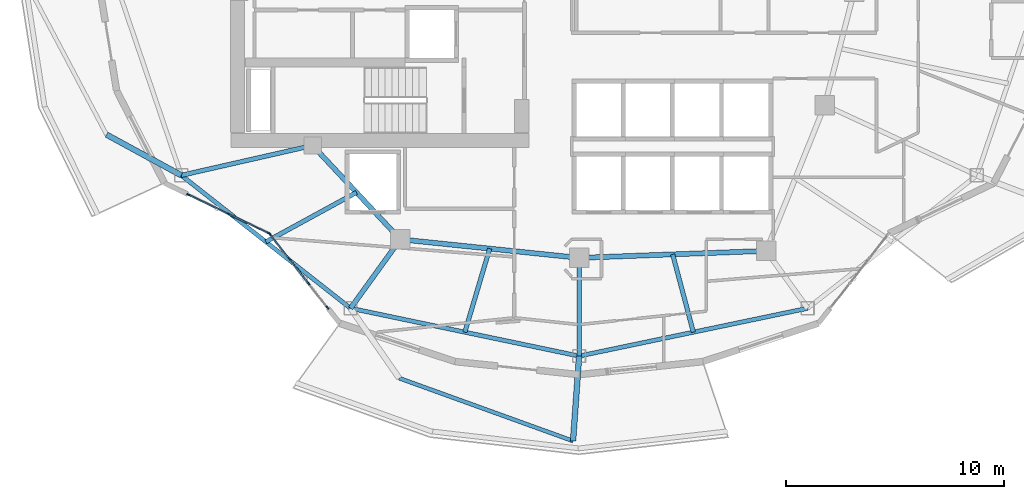
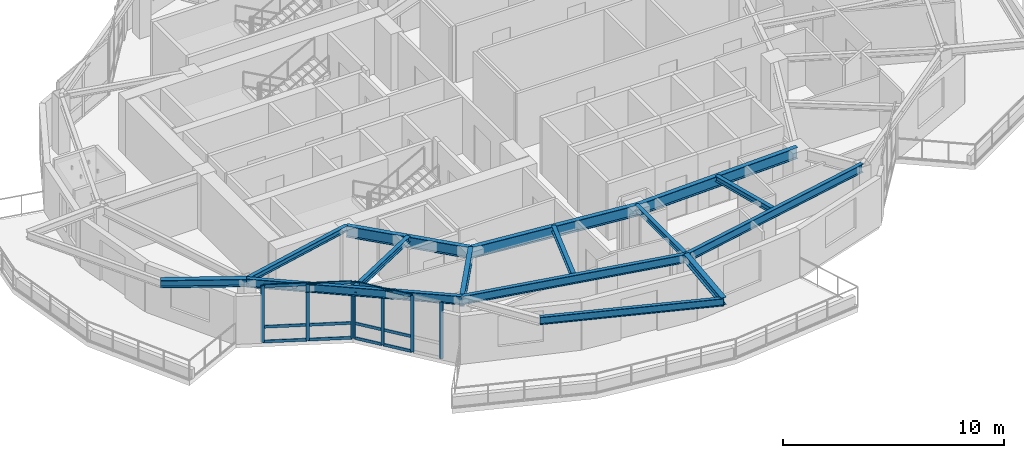
# One storey, part 2 of 19: 19 members, 15 beams, 2 elements without a shape of their own.
"""IFC4 building model written with IfcOpenShell, lengths in metres."""

from ifc_helpers import new_model, si_unit, direction, frame, origin, origin_2d, place, context, subcontext, project, spatial, rectangle, i_section, extrude, material, layer, layer_set, material_profile, profile_set, type_object, element, aggregate, save


model = new_model("IFC4")

# Units and contexts
model_context = context("Model", 3, precision=1e-05, world=origin(), true_north=direction((0.0, 1.0)))
body_context = subcontext(model_context, "Body", "Model", "MODEL_VIEW")
ifc_project = project(units=[si_unit("LENGTHUNIT", "METRE"), si_unit("AREAUNIT", "SQUARE_METRE"), si_unit("VOLUMEUNIT", "CUBIC_METRE"), si_unit("PLANEANGLEUNIT", "RADIAN"), si_unit("MASSUNIT", "GRAM", prefix="KILO")], contexts=[model_context])

# Site, building, storey
site_placement = place(None, origin())
site = spatial("IfcSite", under=ifc_project, at=site_placement, CompositionType="ELEMENT")
building_placement = place(site_placement, origin())
building = spatial("IfcBuilding", under=site, at=building_placement, Name="Kolvaren Gate Tower and Convention Centre", CompositionType="ELEMENT")
storey_placement = place(building_placement, frame((0.0, 0.0, 163.10009765625)))
storey = spatial("IfcBuildingStorey", under=building, at=storey_placement, Name="L42", CompositionType="ELEMENT", Elevation=163.10009765625)

# Curtain wall, members
ifc_material_1 = material(Name="Anodized Architectural Aluminium Alloy 6063-T6", Category="aluminium")
ifc_layer = layer(ifc_material_1, 0.159912109375)
ifc_layer_set = layer_set([ifc_layer], Name="Anodized Architectural Aluminium Alloy 6063-T6")
curtain_wall_type = type_object("IfcCurtainWallType", Name="CW-HTL-UNIT", PredefinedType="NOTDEFINED", material=ifc_layer_set)
curtain_wall_1_placement = place(storey_placement, origin())
curtain_wall_1 = element("IfcCurtainWall", 1, at=curtain_wall_1_placement, inside=storey, type_object=curtain_wall_type, Name="Tower L42 Unitised Curtain Wall CW-HTL-UNIT Bay 14", PredefinedType="NOTDEFINED")
ifc_material_profile_1 = material_profile(ifc_material_1, rectangle(XDim=0.06494140625, YDim=0.159912109375, at=origin_2d()), Name="CW-MEM-MUL-160")
ifc_profile_set_1 = profile_set([ifc_material_profile_1], Name="Anodized Architectural Aluminium Alloy 6063-T6")
member_type_1 = type_object("IfcMemberType", Name="CW-MEM-MUL-160", PredefinedType="MULLION", material=ifc_profile_set_1)
member_1_placement = place(storey_placement, frame((12.220458984375, 17.699462890625, 0.0), z_axis=(0.0, 0.0, 1.0), x_axis=(0.433065112035, 0.901362639973, 0.0)))
member_1 = element("IfcMember", 2, at=member_1_placement, type_object=member_type_1, Name="CW-03 mullion 1", PredefinedType="MULLION", context=body_context, shape_type="SweptSolid", body=[
    extrude(rectangle(XDim=0.06494140625, YDim=0.159912109375, at=origin_2d()), origin(), (0.0, 0.0, 1.0), 3.1298828125),
])
member_2_placement = place(storey_placement, frame((14.063720703125, 16.813720703125, 0.0), z_axis=(0.0, 0.0, 1.0), x_axis=(0.433065112035, 0.901362639973, 0.0)))
member_2 = element("IfcMember", 3, at=member_2_placement, type_object=member_type_1, Name="CW-03 mullion 2", PredefinedType="MULLION", context=body_context, shape_type="SweptSolid", body=[
    extrude(rectangle(XDim=0.06494140625, YDim=0.159912109375, at=origin_2d()), origin(), (0.0, 0.0, 1.0), 3.1298828125),
])
member_3_placement = place(storey_placement, frame((15.9072265625, 15.927978515625, 0.0), z_axis=(0.0, 0.0, 1.0), x_axis=(0.433065112035, 0.901362639973, 0.0)))
member_3 = element("IfcMember", 4, at=member_3_placement, type_object=member_type_1, Name="CW-03 mullion 3", PredefinedType="MULLION", context=body_context, shape_type="SweptSolid", body=[
    extrude(rectangle(XDim=0.06494140625, YDim=0.159912109375, at=origin_2d()), origin(), (0.0, 0.0, 1.0), 3.1298828125),
])

curtain_wall_2_placement = place(storey_placement, origin())
curtain_wall_2 = element("IfcCurtainWall", 5, at=curtain_wall_2_placement, inside=storey, type_object=curtain_wall_type, Name="Tower L42 Unitised Curtain Wall CW-HTL-UNIT Bay 15", PredefinedType="NOTDEFINED")
member_4_placement = place(storey_placement, frame((15.95654296875, 15.888427734375, 0.0), z_axis=(0.0, 0.0, 1.0), x_axis=(0.787414701294, 0.616423627213, 0.0)))
member_4 = element("IfcMember", 6, at=member_4_placement, type_object=member_type_1, Name="CW-03 mullion 1", PredefinedType="MULLION", context=body_context, shape_type="SweptSolid", body=[
    extrude(rectangle(XDim=0.06494140625, YDim=0.159912109375, at=origin_2d()), origin(), (0.0, 0.0, 1.0), 3.1298828125),
])
member_5_placement = place(storey_placement, frame((16.82958984375, 14.77294921875, 0.0), z_axis=(0.0, 0.0, 1.0), x_axis=(0.787414701294, 0.616423627213, 0.0)))
member_5 = element("IfcMember", 7, at=member_5_placement, type_object=member_type_1, Name="CW-03 mullion 2", PredefinedType="MULLION", context=body_context, shape_type="SweptSolid", body=[
    extrude(rectangle(XDim=0.06494140625, YDim=0.159912109375, at=origin_2d()), origin(), (0.0, 0.0, 1.0), 3.1298828125),
])
member_6_placement = place(storey_placement, frame((17.722900390625, 13.632080078125, 0.0), z_axis=(0.0, 0.0, 1.0), x_axis=(0.787414701294, 0.616423627213, 0.0)))
member_6 = element("IfcMember", 8, at=member_6_placement, type_object=member_type_1, Name="CW-03 mullion 3", PredefinedType="MULLION", context=body_context, shape_type="SweptSolid", body=[
    extrude(rectangle(XDim=0.06494140625, YDim=0.159912109375, at=origin_2d()), origin(), (0.0, 0.0, 1.0), 3.1298828125),
])
member_7_placement = place(storey_placement, frame((18.595947265625, 12.5166015625, 0.0), z_axis=(0.0, 0.0, 1.0), x_axis=(0.787414701294, 0.616423627213, 0.0)))
member_7 = element("IfcMember", 9, at=member_7_placement, type_object=member_type_1, Name="CW-03 mullion 4", PredefinedType="MULLION", context=body_context, shape_type="SweptSolid", body=[
    extrude(rectangle(XDim=0.06494140625, YDim=0.159912109375, at=origin_2d()), origin(), (0.0, 0.0, 1.0), 3.1298828125),
])

# Member
ifc_material_profile_2 = material_profile(ifc_material_1, rectangle(XDim=0.06494140625, YDim=0.159912109375, at=origin_2d()), Name="CW-MEM-TRN-160")
ifc_profile_set_2 = profile_set([ifc_material_profile_2], Name="Anodized Architectural Aluminium Alloy 6063-T6")
member_type_2 = type_object("IfcMemberType", Name="CW-MEM-TRN-160", PredefinedType="USERDEFINED", material=ifc_profile_set_2)
member_8_placement = place(storey_placement, frame((12.249755859375, 17.685302734375, 0.032470703125), z_axis=(0.901369067985, -0.433051732799, 0.0), x_axis=(0.433051732799, 0.901369067985, 0.0)))
member_8 = element("IfcMember", 10, at=member_8_placement, type_object=member_type_2, Name="CW-03 transom 1.1", ObjectType="TRANSOM", PredefinedType="USERDEFINED", context=body_context, shape_type="SweptSolid", body=[
    extrude(rectangle(XDim=0.06494140625, YDim=0.159912109375, at=origin_2d()), origin(), (0.0, 0.0, 1.0), 1.97998046875),
])

member_9_placement = place(storey_placement, frame((12.249755859375, 17.685302734375, 0.849853515625), z_axis=(0.901369067985, -0.433051732799, 0.0), x_axis=(0.433051732799, 0.901369067985, 0.0)))
member_9 = element("IfcMember", 11, at=member_9_placement, type_object=member_type_2, Name="CW-03 transom 1.2", ObjectType="TRANSOM", PredefinedType="USERDEFINED", context=body_context, shape_type="SweptSolid", body=[
    extrude(rectangle(XDim=0.06494140625, YDim=0.159912109375, at=origin_2d()), origin(), (0.0, 0.0, 1.0), 1.97998046875),
])

member_10_placement = place(storey_placement, frame((12.249755859375, 17.685302734375, 3.097412109375), z_axis=(0.901369067985, -0.433051732799, 0.0), x_axis=(0.433051732799, 0.901369067985, 0.0)))
member_10 = element("IfcMember", 12, at=member_10_placement, type_object=member_type_2, Name="CW-03 transom 1.3", ObjectType="TRANSOM", PredefinedType="USERDEFINED", context=body_context, shape_type="SweptSolid", body=[
    extrude(rectangle(XDim=0.06494140625, YDim=0.159912109375, at=origin_2d()), origin(), (0.0, 0.0, 1.0), 1.97998046875),
])

member_11_placement = place(storey_placement, frame((14.093017578125, 16.799560546875, 0.032470703125), z_axis=(0.90139218823, -0.433003606218, 0.0), x_axis=(0.433003606218, 0.90139218823, 0.0)))
member_11 = element("IfcMember", 13, at=member_11_placement, type_object=member_type_2, Name="CW-03 transom 2.1", ObjectType="TRANSOM", PredefinedType="USERDEFINED", context=body_context, shape_type="SweptSolid", body=[
    extrude(rectangle(XDim=0.06494140625, YDim=0.159912109375, at=origin_2d()), origin(), (0.0, 0.0, 1.0), 1.980224609375),
])

member_12_placement = place(storey_placement, frame((14.093017578125, 16.799560546875, 0.849853515625), z_axis=(0.90139218823, -0.433003606218, 0.0), x_axis=(0.433003606218, 0.90139218823, 0.0)))
member_12 = element("IfcMember", 14, at=member_12_placement, type_object=member_type_2, Name="CW-03 transom 2.2", ObjectType="TRANSOM", PredefinedType="USERDEFINED", context=body_context, shape_type="SweptSolid", body=[
    extrude(rectangle(XDim=0.06494140625, YDim=0.159912109375, at=origin_2d()), origin(), (0.0, 0.0, 1.0), 1.980224609375),
])

member_13_placement = place(storey_placement, frame((14.093017578125, 16.799560546875, 3.097412109375), z_axis=(0.90139218823, -0.433003606218, 0.0), x_axis=(0.433003606218, 0.90139218823, 0.0)))
member_13 = element("IfcMember", 15, at=member_13_placement, type_object=member_type_2, Name="CW-03 transom 2.3", ObjectType="TRANSOM", PredefinedType="USERDEFINED", context=body_context, shape_type="SweptSolid", body=[
    extrude(rectangle(XDim=0.06494140625, YDim=0.159912109375, at=origin_2d()), origin(), (0.0, 0.0, 1.0), 1.980224609375),
])

aggregate(curtain_wall_1, [member_1, member_2, member_3, member_8, member_9, member_10, member_11, member_12, member_13])

member_14_placement = place(storey_placement, frame((15.9765625, 15.86279296875, 0.032470703125), z_axis=(0.616376452985, -0.787451629121, 0.0), x_axis=(0.787451629121, 0.616376452985, 0.0)))
member_14 = element("IfcMember", 16, at=member_14_placement, type_object=member_type_2, Name="CW-03 transom 1.1", ObjectType="TRANSOM", PredefinedType="USERDEFINED", context=body_context, shape_type="SweptSolid", body=[
    extrude(rectangle(XDim=0.06494140625, YDim=0.159912109375, at=origin_2d()), origin(), (0.0, 0.0, 1.0), 1.3515625),
])

member_15_placement = place(storey_placement, frame((15.9765625, 15.86279296875, 0.849853515625), z_axis=(0.616376452985, -0.787451629121, 0.0), x_axis=(0.787451629121, 0.616376452985, 0.0)))
member_15 = element("IfcMember", 17, at=member_15_placement, type_object=member_type_2, Name="CW-03 transom 1.2", ObjectType="TRANSOM", PredefinedType="USERDEFINED", context=body_context, shape_type="SweptSolid", body=[
    extrude(rectangle(XDim=0.06494140625, YDim=0.159912109375, at=origin_2d()), origin(), (0.0, 0.0, 1.0), 1.3515625),
])

member_16_placement = place(storey_placement, frame((15.9765625, 15.86279296875, 3.097412109375), z_axis=(0.616376452985, -0.787451629121, 0.0), x_axis=(0.787451629121, 0.616376452985, 0.0)))
member_16 = element("IfcMember", 18, at=member_16_placement, type_object=member_type_2, Name="CW-03 transom 1.3", ObjectType="TRANSOM", PredefinedType="USERDEFINED", context=body_context, shape_type="SweptSolid", body=[
    extrude(rectangle(XDim=0.06494140625, YDim=0.159912109375, at=origin_2d()), origin(), (0.0, 0.0, 1.0), 1.3515625),
])

member_17_placement = place(storey_placement, frame((16.849853515625, 14.74755859375, 0.032470703125), z_axis=(0.616355825524, -0.787467774796, 0.0), x_axis=(0.787467774796, 0.616355825524, 0.0)))
member_17 = element("IfcMember", 19, at=member_17_placement, type_object=member_type_2, Name="CW-03 transom 2.1", ObjectType="TRANSOM", PredefinedType="USERDEFINED", context=body_context, shape_type="SweptSolid", body=[
    extrude(rectangle(XDim=0.06494140625, YDim=0.159912109375, at=origin_2d()), origin(), (0.0, 0.0, 1.0), 1.384033203125),
])

member_18_placement = place(storey_placement, frame((16.849853515625, 14.74755859375, 0.849853515625), z_axis=(0.616355825524, -0.787467774796, 0.0), x_axis=(0.787467774796, 0.616355825524, 0.0)))
member_18 = element("IfcMember", 20, at=member_18_placement, type_object=member_type_2, Name="CW-03 transom 2.2", ObjectType="TRANSOM", PredefinedType="USERDEFINED", context=body_context, shape_type="SweptSolid", body=[
    extrude(rectangle(XDim=0.06494140625, YDim=0.159912109375, at=origin_2d()), origin(), (0.0, 0.0, 1.0), 1.384033203125),
])

member_19_placement = place(storey_placement, frame((16.849853515625, 14.74755859375, 3.097412109375), z_axis=(0.616355825524, -0.787467774796, 0.0), x_axis=(0.787467774796, 0.616355825524, 0.0)))
member_19 = element("IfcMember", 21, at=member_19_placement, type_object=member_type_2, Name="CW-03 transom 2.3", ObjectType="TRANSOM", PredefinedType="USERDEFINED", context=body_context, shape_type="SweptSolid", body=[
    extrude(rectangle(XDim=0.06494140625, YDim=0.159912109375, at=origin_2d()), origin(), (0.0, 0.0, 1.0), 1.384033203125),
])

aggregate(curtain_wall_2, [member_4, member_5, member_6, member_7, member_14, member_15, member_16, member_17, member_18, member_19])

# Beams
ifc_material_2 = material(Name="Structural steel ASTM A992 Grade 345 MPa", Category="steel")
ifc_material_profile_3 = material_profile(ifc_material_2, i_section(OverallWidth=0.260009765625, OverallDepth=0.419921875, WebThickness=0.013427734375, FlangeThickness=0.0224609375, at=origin_2d()), Name="W410X132")
ifc_profile_set_3 = profile_set([ifc_material_profile_3], Name="Structural steel ASTM A992 Grade 345 MPa")
beam_type_1 = type_object("IfcBeamType", Name="STR-BM-W410X132", PredefinedType="BEAM", material=ifc_profile_set_3)
beam_1_placement = place(storey_placement, frame((11.898193359375, 18.581298828125, 2.92041015625), z_axis=(-0.878175335842, 0.47833887519, 0.0), x_axis=(-0.47833887519, -0.878175335842, 0.0)))
element("IfcBeam", 22, at=beam_1_placement, inside=storey, type_object=beam_type_1, Name="Tower L43 Planted Balcony Outrigger Cantilever BC-2B", PredefinedType="BEAM", context=body_context, shape_type="SweptSolid", body=[
    extrude(i_section(OverallWidth=0.260009765625, OverallDepth=0.419921875, WebThickness=0.013427734375, FlangeThickness=0.0224609375, at=origin_2d()), origin(), (0.0, 0.0, 1.0), 3.89990234375),
])
beam_2_placement = place(storey_placement, frame((30.125, 10.300048828125, 2.92041015625), z_axis=(-0.071238152604, -0.997459335318, 0.0), x_axis=(0.997459335318, -0.071238152604, 0.0)))
element("IfcBeam", 23, at=beam_2_placement, inside=storey, type_object=beam_type_1, Name="Tower L43 Planted Balcony Outrigger Cantilever BC-3B", PredefinedType="BEAM", context=body_context, shape_type="SweptSolid", body=[
    extrude(i_section(OverallWidth=0.260009765625, OverallDepth=0.419921875, WebThickness=0.013427734375, FlangeThickness=0.0224609375, at=origin_2d()), origin(), (0.0, 0.0, 1.0), 3.900146484375),
])
ifc_material_profile_4 = material_profile(ifc_material_2, i_section(OverallWidth=0.22998046875, OverallDepth=0.616943359375, WebThickness=0.01318359375, FlangeThickness=0.022216796875, at=origin_2d()), Name="W610X140")
ifc_profile_set_4 = profile_set([ifc_material_profile_4], Name="Structural steel ASTM A992 Grade 345 MPa")
beam_type_2 = type_object("IfcBeamType", Name="STR-BM-W610X140", PredefinedType="BEAM", material=ifc_profile_set_4)
beam_3_placement = place(storey_placement, frame((17.9140625, 19.949951171875, 2.8212890625), z_axis=(0.682557592987, -0.730831808459, 0.0), x_axis=(0.730831808459, 0.682557592987, 0.0)))
element("IfcBeam", 24, at=beam_3_placement, inside=storey, type_object=beam_type_2, Name="Tower L42 Primary Ring Girder G-06", PredefinedType="BEAM", context=body_context, shape_type="SweptSolid", body=[
    extrude(i_section(OverallWidth=0.22998046875, OverallDepth=0.616943359375, WebThickness=0.01318359375, FlangeThickness=0.022216796875, at=origin_2d()), origin(), (0.0, 0.0, 1.0), 5.88671875),
])
beam_4_placement = place(storey_placement, frame((21.93212890625, 15.647705078125, 2.8212890625), z_axis=(0.994690329115, -0.102913308978, 0.0), x_axis=(0.102913308978, 0.994690329115, 0.0)))
element("IfcBeam", 25, at=beam_4_placement, inside=storey, type_object=beam_type_2, Name="Tower L42 Primary Ring Girder G-07", PredefinedType="BEAM", context=body_context, shape_type="SweptSolid", body=[
    extrude(i_section(OverallWidth=0.22998046875, OverallDepth=0.616943359375, WebThickness=0.01318359375, FlangeThickness=0.022216796875, at=origin_2d()), origin(), (0.0, 0.0, 1.0), 8.236572265625),
])
beam_5_placement = place(storey_placement, frame((30.125, 14.800048828125, 2.8212890625), z_axis=(0.999301712453, 0.037364254142, 0.0), x_axis=(-0.037364254142, 0.999301712453, 0.0)))
element("IfcBeam", 26, at=beam_5_placement, inside=storey, type_object=beam_type_2, Name="Tower L42 Primary Ring Girder G-08", PredefinedType="BEAM", context=body_context, shape_type="SweptSolid", body=[
    extrude(i_section(OverallWidth=0.22998046875, OverallDepth=0.616943359375, WebThickness=0.01318359375, FlangeThickness=0.022216796875, at=origin_2d()), origin(), (0.0, 0.0, 1.0), 8.579345703125),
])
beam_6_placement = place(storey_placement, frame((21.93212890625, 15.647705078125, 2.8212890625), z_axis=(-0.585211215329, -0.810880899672, 0.0), x_axis=(0.810880899672, -0.585211215329, 0.0)))
element("IfcBeam", 27, at=beam_6_placement, inside=storey, type_object=beam_type_2, Name="Tower L42 Radial Floor Girder RB-09", PredefinedType="BEAM", context=body_context, shape_type="SweptSolid", body=[
    extrude(i_section(OverallWidth=0.22998046875, OverallDepth=0.616943359375, WebThickness=0.01318359375, FlangeThickness=0.022216796875, at=origin_2d()), origin(), (0.0, 0.0, 1.0), 3.8935546875),
])
ifc_material_profile_5 = material_profile(ifc_material_2, i_section(OverallWidth=0.205078125, OverallDepth=0.31005859375, WebThickness=0.009521484375, FlangeThickness=0.016357421875, at=origin_2d()), Name="W310X74")
ifc_profile_set_5 = profile_set([ifc_material_profile_5], Name="Structural steel ASTM A992 Grade 345 MPa")
beam_type_3 = type_object("IfcBeamType", Name="STR-JS-W310X74", PredefinedType="JOIST", material=ifc_profile_set_5)
beam_7_placement = place(storey_placement, frame((17.9140625, 19.949951171875, 2.974853515625), z_axis=(-0.975083464295, -0.221838314226, 0.0), x_axis=(0.221838314226, -0.975083464295, 0.0)))
element("IfcBeam", 28, at=beam_7_placement, inside=storey, type_object=beam_type_3, Name="Tower L42 Radial Floor Girder RB-08", PredefinedType="JOIST", context=body_context, shape_type="SweptSolid", body=[
    extrude(i_section(OverallWidth=0.205078125, OverallDepth=0.31005859375, WebThickness=0.009521484375, FlangeThickness=0.016357421875, at=origin_2d()), origin(), (0.0, 0.0, 1.0), 6.169677734375),
])
beam_8_placement = place(storey_placement, frame((30.125, 14.800048828125, 2.974853515625), z_axis=(0.0, -1.0, 0.0), x_axis=(1.0, 0.0, 0.0)))
element("IfcBeam", 29, at=beam_8_placement, inside=storey, type_object=beam_type_3, Name="Tower L42 Radial Floor Girder RB-10", PredefinedType="JOIST", context=body_context, shape_type="SweptSolid", body=[
    extrude(i_section(OverallWidth=0.205078125, OverallDepth=0.31005859375, WebThickness=0.009521484375, FlangeThickness=0.016357421875, at=origin_2d()), origin(), (0.0, 0.0, 1.0), 4.5),
])
beam_9_placement = place(storey_placement, frame((19.923095703125, 17.798828125, 2.974853515625), z_axis=(-0.877822491981, -0.478986088078, 0.0), x_axis=(0.478986088078, -0.877822491981, 0.0)))
element("IfcBeam", 30, at=beam_9_placement, inside=storey, type_object=beam_type_3, Name="Tower L42 Secondary Composite Floor Joist J-08.1", PredefinedType="JOIST", context=body_context, shape_type="SweptSolid", body=[
    extrude(i_section(OverallWidth=0.205078125, OverallDepth=0.31005859375, WebThickness=0.009521484375, FlangeThickness=0.016357421875, at=origin_2d()), origin(), (0.0, 0.0, 1.0), 4.724365234375),
])
beam_10_placement = place(storey_placement, frame((26.028564453125, 15.223876953125, 2.974853515625), z_axis=(-0.28518274301, -0.958473162425, 0.0), x_axis=(0.958473162425, -0.28518274301, 0.0)))
element("IfcBeam", 31, at=beam_10_placement, inside=storey, type_object=beam_type_3, Name="Tower L42 Secondary Composite Floor Joist J-09.1", PredefinedType="JOIST", context=body_context, shape_type="SweptSolid", body=[
    extrude(i_section(OverallWidth=0.205078125, OverallDepth=0.31005859375, WebThickness=0.009521484375, FlangeThickness=0.016357421875, at=origin_2d()), origin(), (0.0, 0.0, 1.0), 3.994384765625),
])
beam_11_placement = place(storey_placement, frame((34.41162109375, 14.960205078125, 2.974853515625), z_axis=(0.257238365181, -0.966347982602, 0.0), x_axis=(0.966347982602, 0.257238365181, 0.0)))
element("IfcBeam", 32, at=beam_11_placement, inside=storey, type_object=beam_type_3, Name="Tower L42 Secondary Composite Floor Joist J-10.1", PredefinedType="JOIST", context=body_context, shape_type="SweptSolid", body=[
    extrude(i_section(OverallWidth=0.205078125, OverallDepth=0.31005859375, WebThickness=0.009521484375, FlangeThickness=0.016357421875, at=origin_2d()), origin(), (0.0, 0.0, 1.0), 3.68896484375),
])
ifc_material_profile_6 = material_profile(ifc_material_2, i_section(OverallWidth=0.180908203125, OverallDepth=0.4169921875, WebThickness=0.010986328125, FlangeThickness=0.018310546875, at=origin_2d()), Name="W410X85")
ifc_profile_set_6 = profile_set([ifc_material_profile_6], Name="Structural steel ASTM A992 Grade 345 MPa")
beam_type_4 = type_object("IfcBeamType", Name="STR-SP-W410X85", PredefinedType="SPANDREL", material=ifc_profile_set_6)
beam_12_placement = place(storey_placement, frame((21.8798828125, 9.288330078125, 2.921875), z_axis=(0.940503253062, -0.339784683263, 0.0), x_axis=(0.339784683263, 0.940503253062, 0.0)))
element("IfcBeam", 33, at=beam_12_placement, inside=storey, type_object=beam_type_4, Name="Tower L43 Planted Balcony Header Tie Beam BT-3", PredefinedType="SPANDREL", context=body_context, shape_type="SweptSolid", body=[
    extrude(i_section(OverallWidth=0.180908203125, OverallDepth=0.4169921875, WebThickness=0.010986328125, FlangeThickness=0.018310546875, at=origin_2d()), origin(), (0.0, 0.0, 1.0), 8.47119140625),
])
ifc_material_profile_7 = material_profile(ifc_material_2, i_section(OverallWidth=0.194091796875, OverallDepth=0.468994140625, WebThickness=0.0126953125, FlangeThickness=0.0205078125, at=origin_2d()), Name="W460X106")
ifc_profile_set_7 = profile_set([ifc_material_profile_7], Name="Structural steel ASTM A992 Grade 345 MPa")
beam_type_5 = type_object("IfcBeamType", Name="STR-SP-W460X106", PredefinedType="SPANDREL", material=ifc_profile_set_7)
beam_13_placement = place(storey_placement, frame((11.898193359375, 18.581298828125, 2.8955078125), z_axis=(0.786450621777, -0.617653154697, 0.0), x_axis=(0.617653154697, 0.786450621777, 0.0)))
element("IfcBeam", 34, at=beam_13_placement, inside=storey, type_object=beam_type_5, Name="Tower L42 Perimeter Spandrel Beam SP-08", PredefinedType="SPANDREL", context=body_context, shape_type="SweptSolid", body=[
    extrude(i_section(OverallWidth=0.194091796875, OverallDepth=0.468994140625, WebThickness=0.0126953125, FlangeThickness=0.0205078125, at=origin_2d()), origin(), (0.0, 0.0, 1.0), 9.861328125),
])
for number, where, z_axis, x_axis, name in (
    (35, (19.653564453125, 12.490478515625, 2.8955078125), (0.978814350133, -0.204749769168, 0.0), (0.204749769168, 0.978814350133, 0.0), "Tower L42 Perimeter Spandrel Beam SP-09"),
    (36, (30.125, 10.300048828125, 2.8955078125), (0.978814350133, 0.204749769168, 0.0), (-0.204749769168, 0.978814350133, 0.0), "Tower L42 Perimeter Spandrel Beam SP-10"),
):
    element("IfcBeam", number, at=place(storey_placement, frame(where, z_axis=z_axis, x_axis=x_axis)), inside=storey, type_object=beam_type_5, Name=name, PredefinedType="SPANDREL", context=body_context, shape_type="SweptSolid", body=[
        extrude(i_section(OverallWidth=0.194091796875, OverallDepth=0.468994140625, WebThickness=0.0126953125, FlangeThickness=0.0205078125, at=origin_2d()), origin(), (0.0, 0.0, 1.0), 10.697998046875),
    ])

save(model, "model.ifc")
